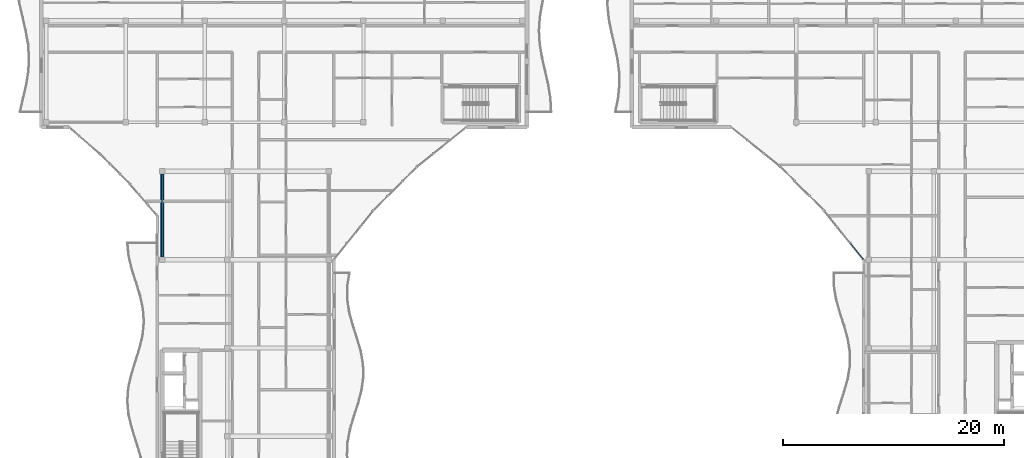
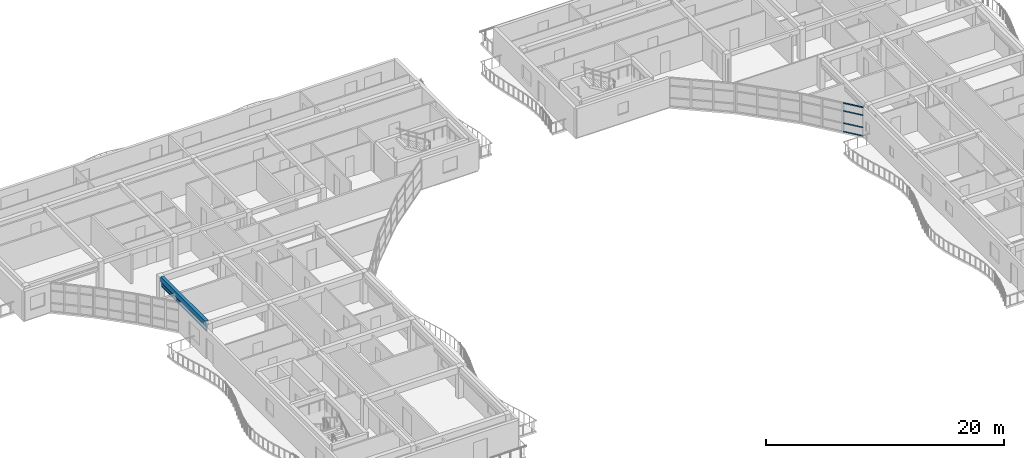
# One storey, part 6 of 39: 6 members, 1 beam, 1 element without a shape of its own.
"""IFC4 building model written with IfcOpenShell, lengths in metres."""

from ifc_helpers import new_model, si_unit, direction, frame, origin, origin_2d, place, context, subcontext, project, spatial, rectangle, hollow_rectangle, extrude, material, layer, layer_set, material_profile, profile_set, type_object, element, aggregate, save


model = new_model("IFC4")

# Units and contexts
model_context = context("Model", 3, precision=1e-05, world=origin(), true_north=direction((0.0, 1.0)))
body_context = subcontext(model_context, "Body", "Model", "MODEL_VIEW")
ifc_project = project(units=[si_unit("LENGTHUNIT", "METRE"), si_unit("AREAUNIT", "SQUARE_METRE"), si_unit("VOLUMEUNIT", "CUBIC_METRE"), si_unit("PLANEANGLEUNIT", "RADIAN"), si_unit("MASSUNIT", "GRAM", prefix="KILO")], contexts=[model_context])

# Site, building, storey
site_placement = place(None, origin())
site = spatial("IfcSite", under=ifc_project, at=site_placement, CompositionType="ELEMENT")
building_placement = place(site_placement, origin())
building = spatial("IfcBuilding", under=site, at=building_placement, Name="Keldmere Railside Commons", CompositionType="ELEMENT")
storey_placement = place(building_placement, frame((0.0, 0.0, 32.9599609375)))
storey = spatial("IfcBuildingStorey", under=building, at=storey_placement, Name="L10", CompositionType="ELEMENT", Elevation=32.9599609375)

# Member
ifc_material_1 = material(Name="Steel F-36 (S355)", Category="steel")
ifc_material_profile_1 = material_profile(ifc_material_1, hollow_rectangle(XDim=0.14990234375, YDim=0.25, WallThickness=0.010009765625, at=origin_2d()), Name="RHS-250x150x10")
ifc_profile_set_1 = profile_set([ifc_material_profile_1], Name="Steel F-36 (S355)")
member_type_1 = type_object("IfcMemberType", Name="Balcony Continuous Planted Trough RHS250x150", PredefinedType="CHORD", material=ifc_profile_set_1)
member_1_placement = place(storey_placement, frame((104.449951171875, 88.25, 2.4150390625), z_axis=(0.0, 1.0, 0.0), x_axis=(-1.0, 0.0, 0.0)))
element("IfcMember", 1, at=member_1_placement, inside=storey, type_object=member_type_1, Name="PLT-1 MEM-BPLT-0985", PredefinedType="CHORD", context=body_context, shape_type="SweptSolid", body=[
    extrude(hollow_rectangle(XDim=0.14990234375, YDim=0.25, WallThickness=0.010009765625, at=origin_2d()), origin(), (0.0, 0.0, 1.0), 7.5),
])

# Beam
ifc_material_2 = material(Name="Concrete H-30 (C30/37)", Category="concrete")
ifc_material_profile_2 = material_profile(ifc_material_2, rectangle(XDim=0.300048828125, YDim=0.5, at=origin_2d()), Name="RC-300x500")
ifc_profile_set_2 = profile_set([ifc_material_profile_2], Name="Concrete H-30 (C30/37)")
beam_type = type_object("IfcBeamType", Name="Secondary Frame RC Beam 300x500", PredefinedType="BEAM", material=ifc_profile_set_2)
beam_placement = place(storey_placement, frame((104.449951171875, 88.25, 2.949951171875), z_axis=(0.0, 1.0, 0.0), x_axis=(-1.0, 0.0, 0.0)))
element("IfcBeam", 2, at=beam_placement, inside=storey, type_object=beam_type, Name="BG-5 BM-L10-2402", PredefinedType="BEAM", context=body_context, shape_type="SweptSolid", body=[
    extrude(rectangle(XDim=0.300048828125, YDim=0.5, at=origin_2d()), origin(), (0.0, 0.0, 1.0), 7.5),
])

# Member
ifc_material_profile_3 = material_profile(ifc_material_1, hollow_rectangle(XDim=0.10009765625, YDim=0.159912109375, WallThickness=0.008056640625, at=origin_2d()), Name="RHS-160x100x8")
ifc_profile_set_3 = profile_set([ifc_material_profile_3], Name="Steel F-36 (S355)")
member_type_2 = type_object("IfcMemberType", Name="Solar Brise-Soleil Louvre Fin RHS160x100", PredefinedType="STRUT", material=ifc_profile_set_3)
member_2_placement = place(storey_placement, frame((104.449951171875, 88.25, 2.199951171875), z_axis=(0.0, 1.0, 0.0), x_axis=(-1.0, 0.0, 0.0)))
element("IfcMember", 3, at=member_2_placement, inside=storey, type_object=member_type_2, Name="BSF-1 MEM-BSF-0986", PredefinedType="STRUT", context=body_context, shape_type="SweptSolid", body=[
    extrude(hollow_rectangle(XDim=0.10009765625, YDim=0.159912109375, WallThickness=0.008056640625, at=origin_2d()), origin(), (0.0, 0.0, 1.0), 7.5),
])

# Curtain wall, members
ifc_material_3 = material(Name="Thermally Broken Aluminium", Category="aluminium")
ifc_layer = layer(ifc_material_3, 0.159912109375, Name="Court Chord Wintergarden CW 5400x2850")
ifc_layer_set = layer_set([ifc_layer], Name="Thermally Broken Aluminium")
curtain_wall_type = type_object("IfcCurtainWallType", Name="Court Chord Wintergarden CW 5400x2850", PredefinedType="NOTDEFINED", material=ifc_layer_set)
curtain_wall_placement = place(storey_placement, origin())
curtain_wall = element("IfcCurtainWall", 4, at=curtain_wall_placement, inside=storey, type_object=curtain_wall_type, Name="CW-13 CW-L10-189", PredefinedType="NOTDEFINED")
ifc_material_profile_4 = material_profile(ifc_material_3, hollow_rectangle(XDim=0.06494140625, YDim=0.1201171875, WallThickness=0.00390625, at=origin_2d()), Name="ALU-TRAN-65x120")
ifc_profile_set_4 = profile_set([ifc_material_profile_4], Name="Thermally Broken Aluminium")
member_type_3 = type_object("IfcMemberType", Name="Unitised Curtain Wall Transom 65x120", PredefinedType="USERDEFINED", material=ifc_profile_set_4)
member_3_placement = place(storey_placement, frame((167.959228515625, 88.05078125, 0.032470703125), z_axis=(-0.625722553313, 0.780045694992, 0.0), x_axis=(-0.780045694992, -0.625722553313, 0.0)))
member_3 = element("IfcMember", 5, at=member_3_placement, type_object=member_type_3, Name="CW-13 transom 1.1", ObjectType="TRANSOM", PredefinedType="USERDEFINED", context=body_context, shape_type="SweptSolid", body=[
    extrude(hollow_rectangle(XDim=0.06494140625, YDim=0.1201171875, WallThickness=0.00390625, at=origin_2d()), origin(), (0.0, 0.0, 1.0), 1.795654296875),
])
member_4_placement = place(storey_placement, frame((167.959228515625, 88.05078125, 0.900146484375), z_axis=(-0.625722553313, 0.780045694992, 0.0), x_axis=(-0.780045694992, -0.625722553313, 0.0)))
member_4 = element("IfcMember", 6, at=member_4_placement, type_object=member_type_3, Name="CW-13 transom 1.2", ObjectType="TRANSOM", PredefinedType="USERDEFINED", context=body_context, shape_type="SweptSolid", body=[
    extrude(hollow_rectangle(XDim=0.06494140625, YDim=0.1201171875, WallThickness=0.00390625, at=origin_2d()), origin(), (0.0, 0.0, 1.0), 1.795654296875),
])
member_5_placement = place(storey_placement, frame((167.959228515625, 88.05078125, 2.150146484375), z_axis=(-0.625722553313, 0.780045694992, 0.0), x_axis=(-0.780045694992, -0.625722553313, 0.0)))
member_5 = element("IfcMember", 7, at=member_5_placement, type_object=member_type_3, Name="CW-13 transom 1.3", ObjectType="TRANSOM", PredefinedType="USERDEFINED", context=body_context, shape_type="SweptSolid", body=[
    extrude(hollow_rectangle(XDim=0.06494140625, YDim=0.1201171875, WallThickness=0.00390625, at=origin_2d()), origin(), (0.0, 0.0, 1.0), 1.795654296875),
])
member_6_placement = place(storey_placement, frame((167.959228515625, 88.05078125, 2.947509765625), z_axis=(-0.625722553313, 0.780045694992, 0.0), x_axis=(-0.780045694992, -0.625722553313, 0.0)))
member_6 = element("IfcMember", 8, at=member_6_placement, type_object=member_type_3, Name="CW-13 transom 1.4", ObjectType="TRANSOM", PredefinedType="USERDEFINED", context=body_context, shape_type="SweptSolid", body=[
    extrude(hollow_rectangle(XDim=0.06494140625, YDim=0.1201171875, WallThickness=0.00390625, at=origin_2d()), origin(), (0.0, 0.0, 1.0), 1.795654296875),
])
aggregate(curtain_wall, [member_3, member_4, member_5, member_6])

save(model, "model.ifc")
